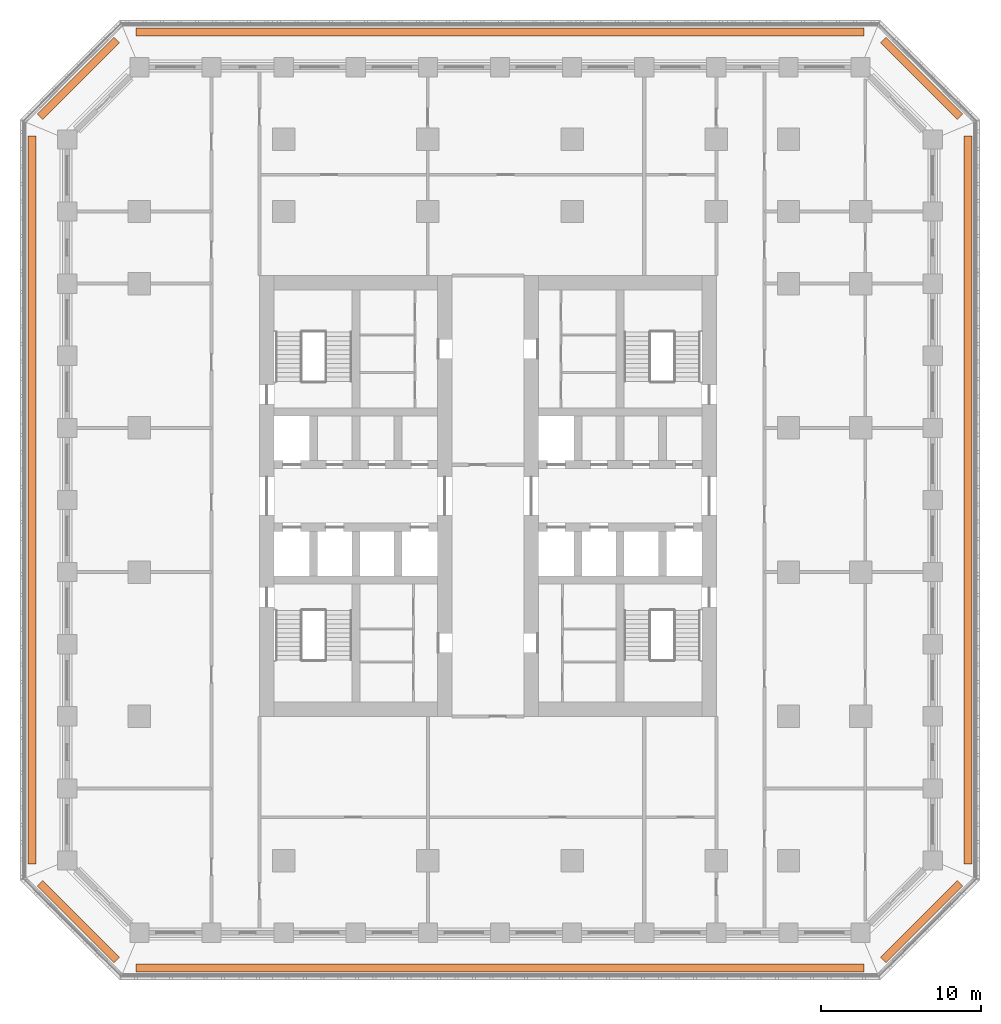
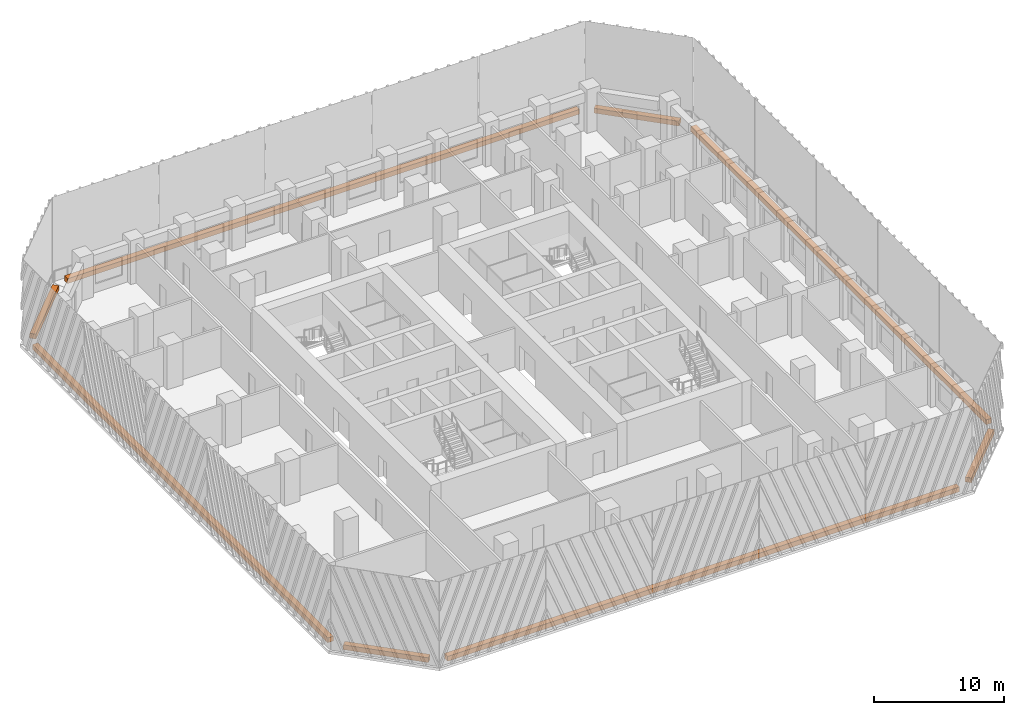
# One storey, part 19 of 19: 8 proxies.
"""IFC4 building model written with IfcOpenShell, lengths in metres."""

from ifc_helpers import new_model, si_unit, direction, frame, origin, origin_2d, place, context, subcontext, project, spatial, rectangle, extrude, material, type_object, element, save


model = new_model("IFC4")

# Units and contexts
model_context = context("Model", 3, precision=1e-05, world=origin(), true_north=direction((0.0, 1.0)))
body_context = subcontext(model_context, "Body", "Model", "MODEL_VIEW")
ifc_project = project(units=[si_unit("LENGTHUNIT", "METRE"), si_unit("AREAUNIT", "SQUARE_METRE"), si_unit("VOLUMEUNIT", "CUBIC_METRE"), si_unit("PLANEANGLEUNIT", "RADIAN"), si_unit("MASSUNIT", "GRAM", prefix="KILO")], contexts=[model_context])

# Site, building, storey
site_placement = place(None, origin())
site = spatial("IfcSite", under=ifc_project, at=site_placement, CompositionType="ELEMENT")
building_placement = place(site_placement, origin())
building = spatial("IfcBuilding", under=site, at=building_placement, Name="Corbel Stack Research Tower", CompositionType="ELEMENT")
storey_placement = place(building_placement, frame((0.0, 0.0, 90.199951171875)))
storey = spatial("IfcBuildingStorey", under=building, at=storey_placement, Name="L20", CompositionType="ELEMENT", Elevation=90.199951171875)

# Proxies
ifc_material = material(Name="Concrete C45/55", Category="concrete")
building_element_proxy_type = type_object("IfcBuildingElementProxyType", Name="Planter box", PredefinedType="USERDEFINED", material=ifc_material)
proxy_1_placement = place(storey_placement, frame((4.5, -24.699951171875, 0.0), z_axis=(0.0, 0.0, 1.0), x_axis=(1.0, 0.0, 0.0)))
element("IfcBuildingElementProxy", 1, at=proxy_1_placement, inside=storey, type_object=building_element_proxy_type, Name="Planter L20 S", ObjectType="PLANTER", PredefinedType="USERDEFINED", context=body_context, shape_type="SweptSolid", body=[
    extrude(rectangle(XDim=45.41064453125, YDim=0.5, at=origin_2d()), origin(), (0.0, 0.0, 1.0), 0.449951171875),
])
proxy_2_placement = place(storey_placement, frame((30.8056640625, -21.8056640625, 0.0), z_axis=(0.0, 0.0, 1.0), x_axis=(0.707106781187, 0.707106781187, 0.0)))
element("IfcBuildingElementProxy", 2, at=proxy_2_placement, inside=storey, type_object=building_element_proxy_type, Name="Planter L20 SE", ObjectType="PLANTER", PredefinedType="USERDEFINED", context=body_context, shape_type="SweptSolid", body=[
    extrude(rectangle(XDim=6.774658203125, YDim=0.5, at=origin_2d()), origin(), (0.0, 0.0, 1.0), 0.449951171875),
])
proxy_3_placement = place(storey_placement, frame((33.699951171875, 4.5, 0.0), z_axis=(0.0, 0.0, 1.0), x_axis=(0.0, 1.0, 0.0)))
element("IfcBuildingElementProxy", 3, at=proxy_3_placement, inside=storey, type_object=building_element_proxy_type, Name="Planter L20 E", ObjectType="PLANTER", PredefinedType="USERDEFINED", context=body_context, shape_type="SweptSolid", body=[
    extrude(rectangle(XDim=45.41064453125, YDim=0.5, at=origin_2d()), origin(), (0.0, 0.0, 1.0), 0.449951171875),
])
proxy_4_placement = place(storey_placement, frame((30.8056640625, 30.8056640625, 0.0), z_axis=(0.0, 0.0, 1.0), x_axis=(-0.707106781187, 0.707106781187, 0.0)))
element("IfcBuildingElementProxy", 4, at=proxy_4_placement, inside=storey, type_object=building_element_proxy_type, Name="Planter L20 NE", ObjectType="PLANTER", PredefinedType="USERDEFINED", context=body_context, shape_type="SweptSolid", body=[
    extrude(rectangle(XDim=6.774658203125, YDim=0.5, at=origin_2d()), origin(), (0.0, 0.0, 1.0), 0.449951171875),
])
proxy_5_placement = place(storey_placement, frame((4.5, 33.699951171875, 0.0), z_axis=(0.0, 0.0, 1.0), x_axis=(-1.0, 0.0, 0.0)))
element("IfcBuildingElementProxy", 5, at=proxy_5_placement, inside=storey, type_object=building_element_proxy_type, Name="Planter L20 N", ObjectType="PLANTER", PredefinedType="USERDEFINED", context=body_context, shape_type="SweptSolid", body=[
    extrude(rectangle(XDim=45.41064453125, YDim=0.5, at=origin_2d()), origin(), (0.0, 0.0, 1.0), 0.449951171875),
])
proxy_6_placement = place(storey_placement, frame((-21.8056640625, 30.8056640625, 0.0), z_axis=(0.0, 0.0, 1.0), x_axis=(-0.707106781187, -0.707106781187, 0.0)))
element("IfcBuildingElementProxy", 6, at=proxy_6_placement, inside=storey, type_object=building_element_proxy_type, Name="Planter L20 NW", ObjectType="PLANTER", PredefinedType="USERDEFINED", context=body_context, shape_type="SweptSolid", body=[
    extrude(rectangle(XDim=6.774658203125, YDim=0.5, at=origin_2d()), origin(), (0.0, 0.0, 1.0), 0.449951171875),
])
proxy_7_placement = place(storey_placement, frame((-24.699951171875, 4.5, 0.0), z_axis=(0.0, 0.0, 1.0), x_axis=(0.0, -1.0, 0.0)))
element("IfcBuildingElementProxy", 7, at=proxy_7_placement, inside=storey, type_object=building_element_proxy_type, Name="Planter L20 W", ObjectType="PLANTER", PredefinedType="USERDEFINED", context=body_context, shape_type="SweptSolid", body=[
    extrude(rectangle(XDim=45.41064453125, YDim=0.5, at=origin_2d()), origin(), (0.0, 0.0, 1.0), 0.449951171875),
])
proxy_8_placement = place(storey_placement, frame((-21.8056640625, -21.8056640625, 0.0), z_axis=(0.0, 0.0, 1.0), x_axis=(0.707106781187, -0.707106781187, 0.0)))
element("IfcBuildingElementProxy", 8, at=proxy_8_placement, inside=storey, type_object=building_element_proxy_type, Name="Planter L20 SW", ObjectType="PLANTER", PredefinedType="USERDEFINED", context=body_context, shape_type="SweptSolid", body=[
    extrude(rectangle(XDim=6.774658203125, YDim=0.5, at=origin_2d()), origin(), (0.0, 0.0, 1.0), 0.449951171875),
])

save(model, "model.ifc")
